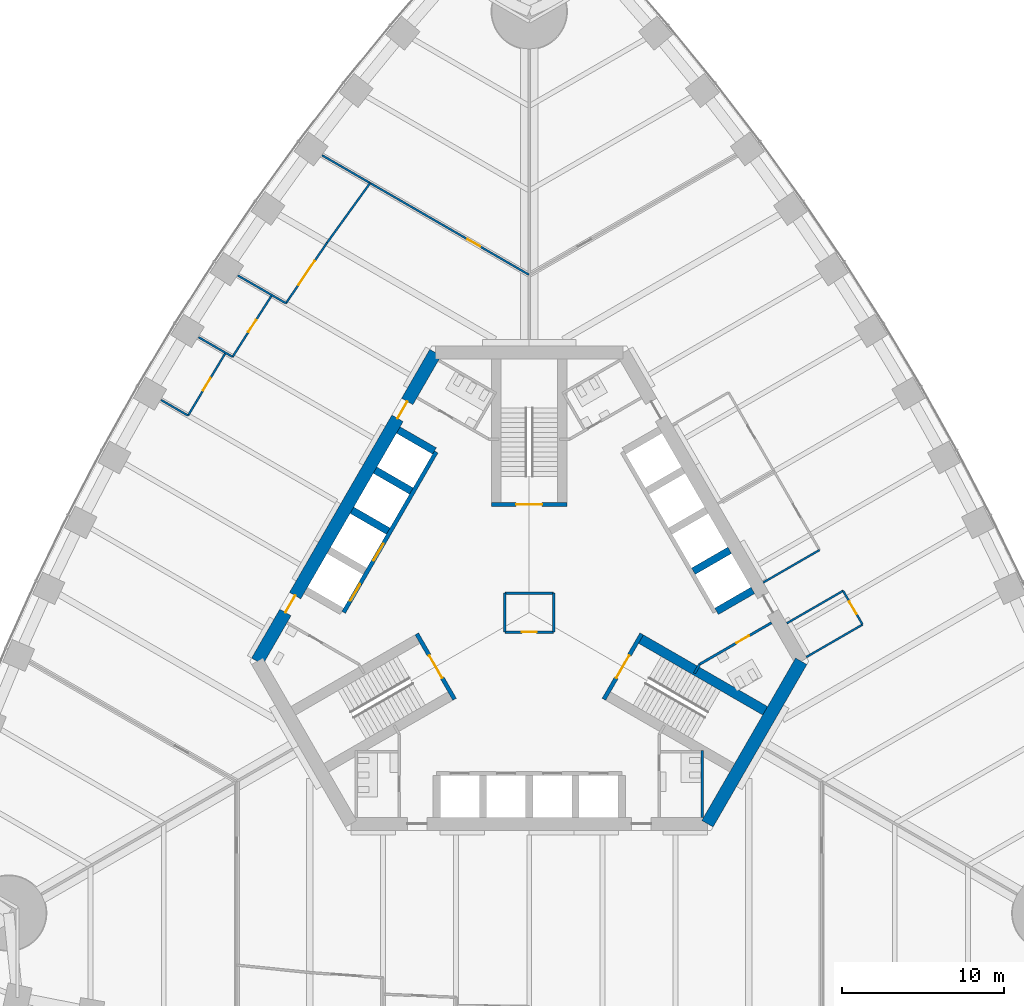
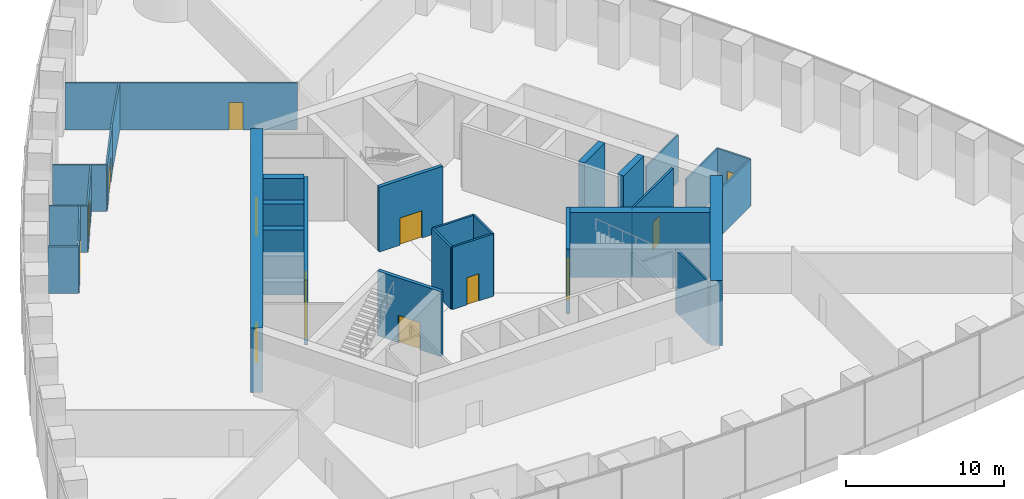
# One storey, part 16 of 21: 31 walls, 14 doors, 14 openings.
"""IFC4 building model written with IfcOpenShell, lengths in metres."""

from ifc_helpers import new_model, si_unit, direction, frame, frame_2d, origin, place, context, subcontext, project, spatial, rectangle, extrude, material, layer, layer_set, type_object, element, fill, save


model = new_model("IFC4")

# Units and contexts
model_context = context("Model", 3, precision=1e-05, world=origin(), true_north=direction((0.0, 1.0)))
body_context = subcontext(model_context, "Body", "Model", "MODEL_VIEW")
ifc_project = project(units=[si_unit("LENGTHUNIT", "METRE"), si_unit("AREAUNIT", "SQUARE_METRE"), si_unit("VOLUMEUNIT", "CUBIC_METRE"), si_unit("PLANEANGLEUNIT", "RADIAN"), si_unit("MASSUNIT", "GRAM", prefix="KILO")], contexts=[model_context])

# Site, building, storey
site_placement = place(None, origin())
site = spatial("IfcSite", under=ifc_project, at=site_placement, CompositionType="ELEMENT")
building_placement = place(site_placement, origin())
building = spatial("IfcBuilding", under=site, at=building_placement, Name="Trefoil Bronze Tower", CompositionType="ELEMENT")
storey_placement = place(building_placement, frame((0.0, 0.0, 11.5)))
storey = spatial("IfcBuildingStorey", under=building, at=storey_placement, Name="L02", CompositionType="ELEMENT", Elevation=11.5)

# Wall
ifc_material_1 = material(Name="Concrete B80", Category="concrete")
ifc_layer_1 = layer(ifc_material_1, 0.800048828125)
ifc_layer_set_1 = layer_set([ifc_layer_1], Name="Core wall 800")
wall_type_1 = type_object("IfcWallType", Name="Core wall 800", PredefinedType="SHEAR", material=ifc_layer_set_1)
wall_1_placement = place(storey_placement, frame((10.9697265625, -13.0, 0.0), z_axis=(0.0, 0.0, 1.0), x_axis=(0.499995765644, 0.866027848477, 0.0)))
element("IfcWall", 1, at=wall_1_placement, inside=storey, type_object=wall_type_1, Name="Core short wall 1 L02", PredefinedType="SHEAR", context=body_context, shape_type="SweptSolid", body=[
    extrude(rectangle(XDim=11.546875, YDim=0.800048828125, at=frame_2d((5.7734375, 0.0))), origin(), (0.0, 0.0, 1.0), 5.0),
])

# Wall, openings, doors
wall_2_placement = place(storey_placement, frame((-5.7734375, 16.0, 0.0), z_axis=(0.0, 0.0, 1.0), x_axis=(-0.500002442456, -0.866023993627, 0.0)))
wall_2 = element("IfcWall", 2, at=wall_2_placement, inside=storey, type_object=wall_type_1, Name="Core long wall 3 L02", PredefinedType="SHEAR", context=body_context, shape_type="SweptSolid", body=[
    extrude(rectangle(XDim=21.939453125, YDim=0.800048828125, at=frame_2d((10.9697265625, 0.0))), origin(), (0.0, 0.0, 1.0), 5.0),
])
opening_1_placement = place(wall_2_placement, frame((17.269775390625, 0.0, 0.0)))
opening_1 = element("IfcOpeningElement", 3, at=opening_1_placement, cuts=wall_2, Name="Opening D2", PredefinedType="OPENING", context=body_context, shape_type="SweptSolid", body=[
    extrude(rectangle(XDim=1.199951171875, YDim=2.10009765625, at=frame_2d((0.60009765625, 1.050048828125))), frame((0.0, 0.409912109375, 0.0), z_axis=(0.0, -1.0, 0.0), x_axis=(1.0, 0.0, 0.0)), (0.0, 0.0, 1.0), 0.820068359375),
])
opening_2_placement = place(wall_2_placement, frame((3.4697265625, 0.0, 0.0)))
opening_2 = element("IfcOpeningElement", 4, at=opening_2_placement, cuts=wall_2, Name="Opening D2", PredefinedType="OPENING", context=body_context, shape_type="SweptSolid", body=[
    extrude(rectangle(XDim=1.199951171875, YDim=2.10009765625, at=frame_2d((0.60009765625, 1.050048828125))), frame((0.0, 0.409912109375, 0.0), z_axis=(0.0, -1.0, 0.0), x_axis=(1.0, 0.0, 0.0)), (0.0, 0.0, 1.0), 0.820068359375),
])
ifc_material_2 = material(Name="Steel door", Category="steel")
door_type_1 = type_object("IfcDoorType", Name="Lobby door 1200", OperationType="SINGLE_SWING_RIGHT", PredefinedType="DOOR", material=ifc_material_2)
door_1_placement = place(opening_1_placement, origin())
door_1 = element("IfcDoor", 5, at=door_1_placement, inside=storey, type_object=door_type_1, Name="Lobby door F3+ L02", OperationType="SINGLE_SWING_RIGHT", OverallHeight=2.10009765625, OverallWidth=1.199951171875, PredefinedType="DOOR", context=body_context, shape_type="SweptSolid", body=[
    extrude(rectangle(XDim=1.199951171875, YDim=2.10009765625, at=frame_2d((0.60009765625, 1.050048828125))), frame((0.0, 0.02490234375, 0.0), z_axis=(0.0, -1.0, 0.0), x_axis=(1.0, 0.0, 0.0)), (0.0, 0.0, 1.0), 0.050048828125),
])
fill(opening_1, door_1)
door_2_placement = place(opening_2_placement, origin())
door_2 = element("IfcDoor", 6, at=door_2_placement, inside=storey, type_object=door_type_1, Name="Lobby door F3- L02", OperationType="SINGLE_SWING_LEFT", OverallHeight=2.10009765625, OverallWidth=1.199951171875, PredefinedType="DOOR", context=body_context, shape_type="SweptSolid", body=[
    extrude(rectangle(XDim=1.199951171875, YDim=2.10009765625, at=frame_2d((0.60009765625, 1.050048828125))), frame((0.0, 0.02490234375, 0.0), z_axis=(0.0, -1.0, 0.0), x_axis=(1.0, 0.0, 0.0)), (0.0, 0.0, 1.0), 0.050048828125),
])
fill(opening_2, door_2)

# Wall, opening, door
ifc_material_3 = material(Name="Glazed partition", Category="glass")
ifc_layer_2 = layer(ifc_material_3, 0.1201171875)
ifc_layer_set_2 = layer_set([ifc_layer_2], Name="Glazed partition 120")
wall_type_2 = type_object("IfcWallType", Name="Glazed partition 120", PredefinedType="PARTITIONING", material=ifc_layer_set_2)
wall_3_placement = place(storey_placement, frame((20.518798828125, -0.73974609375, 0.0), z_axis=(0.0, 0.0, 1.0), x_axis=(-0.499957262057, 0.866050077142, 0.0)))
wall_3 = element("IfcWall", 7, at=wall_3_placement, inside=storey, type_object=wall_type_2, Name="Partition F2 L02", PredefinedType="PARTITIONING", context=body_context, shape_type="SweptSolid", body=[
    extrude(rectangle(XDim=2.400146484375, YDim=0.1201171875, at=frame_2d((1.2001953125, 0.0))), origin(), (0.0, 0.0, 1.0), 3.60009765625),
])
opening_3_placement = place(wall_3_placement, frame((0.75, 0.0, 0.0)))
opening_3 = element("IfcOpeningElement", 8, at=opening_3_placement, cuts=wall_3, Name="Opening D8", PredefinedType="OPENING", context=body_context, shape_type="SweptSolid", body=[
    extrude(rectangle(XDim=0.89990234375, YDim=2.10009765625, at=frame_2d((0.449951171875, 1.050048828125))), frame((0.0, 0.070068359375, 0.0), z_axis=(0.0, -1.0, 0.0), x_axis=(1.0, 0.0, 0.0)), (0.0, 0.0, 1.0), 0.14013671875),
])
ifc_material_4 = material(Name="Timber door", Category="wood")
door_type_2 = type_object("IfcDoorType", Name="Office door 900", OperationType="SINGLE_SWING_LEFT", PredefinedType="DOOR", material=ifc_material_4)
door_3_placement = place(opening_3_placement, origin())
door_3 = element("IfcDoor", 9, at=door_3_placement, inside=storey, type_object=door_type_2, Name="Store door F2 L02", OperationType="SINGLE_SWING_RIGHT", OverallHeight=2.10009765625, OverallWidth=0.89990234375, PredefinedType="DOOR", context=body_context, shape_type="SweptSolid", body=[
    extrude(rectangle(XDim=0.89990234375, YDim=2.10009765625, at=frame_2d((0.449951171875, 1.050048828125))), frame((0.0, 0.02490234375, 0.0), z_axis=(0.0, -1.0, 0.0), x_axis=(1.0, 0.0, 0.0)), (0.0, 0.0, 1.0), 0.050048828125),
])
fill(opening_3, door_3)

# Walls
for number, where, z_axis, x_axis, name in (
    (10, (17.0546875, -2.73974609375, 0.0), (0.0, 0.0, 1.0), (0.866026010844, 0.49999894854, 0.0), "Partition F2 L02"),
    (11, (14.40478515625, 1.850341796875, 0.0), (0.0, 0.0, 1.0), (0.866026010844, 0.49999894854, 0.0), "Partition F2 L02"),
    (12, (15.854736328125, -0.6611328125, 0.0), (0.0, 0.0, 1.0), (0.866026010844, 0.49999894854, 0.0), "Partition F2 L02"),
):
    element("IfcWall", number, at=place(storey_placement, frame(where, z_axis=z_axis, x_axis=x_axis)), inside=storey, type_object=wall_type_2, Name=name, PredefinedType="PARTITIONING", context=body_context, shape_type="SweptSolid", body=[
        extrude(rectangle(XDim=4.0, YDim=0.1201171875, at=frame_2d((2.0, 0.0))), origin(), (0.0, 0.0, 1.0), 3.60009765625),
    ])

# Wall, opening, door
wall_4_placement = place(storey_placement, frame((-12.441162109375, 22.771240234375, 0.0), z_axis=(0.0, 0.0, 1.0), x_axis=(-0.561512004239, -0.827468591002, 0.0)))
wall_4 = element("IfcWall", 13, at=wall_4_placement, inside=storey, type_object=wall_type_2, Name="Partition F3 L02", PredefinedType="PARTITIONING", context=body_context, shape_type="SweptSolid", body=[
    extrude(rectangle(XDim=4.51171875, YDim=0.1201171875, at=frame_2d((2.255859375, 0.0))), origin(), (0.0, 0.0, 1.0), 3.60009765625),
])
opening_4_placement = place(wall_4_placement, frame((1.35009765625, 0.0, 0.0)))
opening_4 = element("IfcOpeningElement", 14, at=opening_4_placement, cuts=wall_4, Name="Opening D10", PredefinedType="OPENING", context=body_context, shape_type="SweptSolid", body=[
    extrude(rectangle(XDim=1.800048828125, YDim=2.10009765625, at=frame_2d((0.89990234375, 1.050048828125))), frame((0.0, 0.070068359375, 0.0), z_axis=(0.0, -1.0, 0.0), x_axis=(1.0, 0.0, 0.0)), (0.0, 0.0, 1.0), 0.14013671875),
])
ifc_material_5 = material(Name="Timber door", Category="wood")
door_type_3 = type_object("IfcDoorType", Name="Double door 1800", OperationType="DOUBLE_DOOR_SINGLE_SWING", PredefinedType="DOOR", material=ifc_material_5)
door_4_placement = place(opening_4_placement, frame((1.800048828125, 0.0, 0.0), z_axis=(0.0, 0.0, 1.0), x_axis=(-1.0, 0.0, 0.0)))
door_4 = element("IfcDoor", 15, at=door_4_placement, inside=storey, type_object=door_type_3, Name="Kitchen door F3 L02", OperationType="DOUBLE_DOOR_SINGLE_SWING", OverallHeight=2.10009765625, OverallWidth=1.800048828125, PredefinedType="DOOR", context=body_context, shape_type="SweptSolid", body=[
    extrude(rectangle(XDim=1.800048828125, YDim=2.10009765625, at=frame_2d((0.89990234375, 1.050048828125))), frame((0.0, 0.02490234375, 0.0), z_axis=(0.0, -1.0, 0.0), x_axis=(1.0, 0.0, 0.0)), (0.0, 0.0, 1.0), 0.050048828125),
])
fill(opening_4, door_4)

# Wall
wall_5_placement = place(storey_placement, frame((-9.793212890625, 26.438720703125, 0.0), z_axis=(0.0, 0.0, 1.0), x_axis=(-0.585376255171, -0.810761765183, 0.0)))
element("IfcWall", 16, at=wall_5_placement, inside=storey, type_object=wall_type_2, Name="Partition F3 L02", PredefinedType="PARTITIONING", context=body_context, shape_type="SweptSolid", body=[
    extrude(rectangle(XDim=4.5234375, YDim=0.1201171875, at=frame_2d((2.26171875, 0.0))), origin(), (0.0, 0.0, 1.0), 3.60009765625),
])

# Wall, opening, door
wall_6_placement = place(storey_placement, frame((-18.693359375, 15.98876953125, 0.0), z_axis=(0.0, 0.0, 1.0), x_axis=(-0.51252396108, -0.858672923364, 0.0)))
wall_6 = element("IfcWall", 17, at=wall_6_placement, inside=storey, type_object=wall_type_2, Name="Partition F3 L02", PredefinedType="PARTITIONING", context=body_context, shape_type="SweptSolid", body=[
    extrude(rectangle(XDim=4.50048828125, YDim=0.1201171875, at=frame_2d((2.250244140625, 0.0))), origin(), (0.0, 0.0, 1.0), 3.60009765625),
])
opening_5_placement = place(wall_6_placement, frame((1.800048828125, 0.0, 0.0)))
opening_5 = element("IfcOpeningElement", 18, at=opening_5_placement, cuts=wall_6, Name="Opening D8", PredefinedType="OPENING", context=body_context, shape_type="SweptSolid", body=[
    extrude(rectangle(XDim=0.89990234375, YDim=2.10009765625, at=frame_2d((0.449951171875, 1.050048828125))), frame((0.0, 0.070068359375, 0.0), z_axis=(0.0, -1.0, 0.0), x_axis=(1.0, 0.0, 0.0)), (0.0, 0.0, 1.0), 0.14013671875),
])
door_5_placement = place(opening_5_placement, frame((0.89990234375, 0.0, 0.0), z_axis=(0.0, 0.0, 1.0), x_axis=(-1.0, 0.0, 0.0)))
door_5 = element("IfcDoor", 19, at=door_5_placement, inside=storey, type_object=door_type_2, Name="Dry store door F3 L02", OperationType="SINGLE_SWING_RIGHT", OverallHeight=2.10009765625, OverallWidth=0.89990234375, PredefinedType="DOOR", context=body_context, shape_type="SweptSolid", body=[
    extrude(rectangle(XDim=0.89990234375, YDim=2.10009765625, at=frame_2d((0.449951171875, 1.050048828125))), frame((0.0, 0.02490234375, 0.0), z_axis=(0.0, -1.0, 0.0), x_axis=(1.0, 0.0, 0.0)), (0.0, 0.0, 1.0), 0.050048828125),
])
fill(opening_5, door_5)

wall_7_placement = place(storey_placement, frame((-15.840576171875, 19.537841796875, 0.0), z_axis=(0.0, 0.0, 1.0), x_axis=(-0.537243691336, -0.843427066272, 0.0)))
wall_7 = element("IfcWall", 20, at=wall_7_placement, inside=storey, type_object=wall_type_2, Name="Partition F3 L02", PredefinedType="PARTITIONING", context=body_context, shape_type="SweptSolid", body=[
    extrude(rectangle(XDim=4.50439453125, YDim=0.1201171875, at=frame_2d((2.252197265625, 0.0))), origin(), (0.0, 0.0, 1.0), 3.60009765625),
])
opening_6_placement = place(wall_7_placement, frame((1.800048828125, 0.0, 0.0)))
opening_6 = element("IfcOpeningElement", 21, at=opening_6_placement, cuts=wall_7, Name="Opening D8", PredefinedType="OPENING", context=body_context, shape_type="SweptSolid", body=[
    extrude(rectangle(XDim=0.89990234375, YDim=2.10009765625, at=frame_2d((0.449951171875, 1.050048828125))), frame((0.0, 0.070068359375, 0.0), z_axis=(0.0, -1.0, 0.0), x_axis=(1.0, 0.0, 0.0)), (0.0, 0.0, 1.0), 0.14013671875),
])
door_6_placement = place(opening_6_placement, frame((0.89990234375, 0.0, 0.0), z_axis=(0.0, 0.0, 1.0), x_axis=(-1.0, 0.0, 0.0)))
door_6 = element("IfcDoor", 22, at=door_6_placement, inside=storey, type_object=door_type_2, Name="Cold store door F3 L02", OperationType="SINGLE_SWING_RIGHT", OverallHeight=2.10009765625, OverallWidth=0.89990234375, PredefinedType="DOOR", context=body_context, shape_type="SweptSolid", body=[
    extrude(rectangle(XDim=0.89990234375, YDim=2.10009765625, at=frame_2d((0.449951171875, 1.050048828125))), frame((0.0, 0.02490234375, 0.0), z_axis=(0.0, -1.0, 0.0), x_axis=(1.0, 0.0, 0.0)), (0.0, 0.0, 1.0), 0.050048828125),
])
fill(opening_6, door_6)

# Wall
wall_8_placement = place(storey_placement, frame((-21.0, 12.124267578125, 0.0), z_axis=(0.0, 0.0, 1.0), x_axis=(-0.865988661894, 0.500063633421, 0.0)))
element("IfcWall", 23, at=wall_8_placement, inside=storey, type_object=wall_type_2, Name="Partition F3 L02", PredefinedType="PARTITIONING", context=body_context, shape_type="SweptSolid", body=[
    extrude(rectangle(XDim=1.920166015625, YDim=0.1201171875, at=frame_2d((0.9599609375, 0.0))), origin(), (0.0, 0.0, 1.0), 3.60009765625),
])

# Wall, opening, door
wall_9_placement = place(storey_placement, frame((-0.025146484375, 20.799072265625, 0.0), z_axis=(0.0, 0.0, 1.0), x_axis=(-0.866027263711, 0.4999967785, 0.0)))
wall_9 = element("IfcWall", 24, at=wall_9_placement, inside=storey, type_object=wall_type_2, Name="Partition F3 L02", PredefinedType="PARTITIONING", context=body_context, shape_type="SweptSolid", body=[
    extrude(rectangle(XDim=14.6884765625, YDim=0.1201171875, at=frame_2d((7.34423828125, 0.0))), origin(), (0.0, 0.0, 1.0), 3.60009765625),
])
opening_7_placement = place(wall_9_placement, frame((3.449951171875, 0.0, 0.0)))
opening_7 = element("IfcOpeningElement", 25, at=opening_7_placement, cuts=wall_9, Name="Opening D8", PredefinedType="OPENING", context=body_context, shape_type="SweptSolid", body=[
    extrude(rectangle(XDim=0.89990234375, YDim=2.10009765625, at=frame_2d((0.449951171875, 1.050048828125))), frame((0.0, 0.070068359375, 0.0), z_axis=(0.0, -1.0, 0.0), x_axis=(1.0, 0.0, 0.0)), (0.0, 0.0, 1.0), 0.14013671875),
])
door_7_placement = place(opening_7_placement, frame((0.89990234375, 0.0, 0.0), z_axis=(0.0, 0.0, 1.0), x_axis=(-1.0, 0.0, 0.0)))
door_7 = element("IfcDoor", 26, at=door_7_placement, inside=storey, type_object=door_type_2, Name="Plant room door F3 L02", OperationType="SINGLE_SWING_RIGHT", OverallHeight=2.10009765625, OverallWidth=0.89990234375, PredefinedType="DOOR", context=body_context, shape_type="SweptSolid", body=[
    extrude(rectangle(XDim=0.89990234375, YDim=2.10009765625, at=frame_2d((0.449951171875, 1.050048828125))), frame((0.0, 0.02490234375, 0.0), z_axis=(0.0, -1.0, 0.0), x_axis=(1.0, 0.0, 0.0)), (0.0, 0.0, 1.0), 0.050048828125),
])
fill(opening_7, door_7)

# Walls
wall_10_placement = place(storey_placement, frame((-18.260498046875, 15.73876953125, 0.0), z_axis=(0.0, 0.0, 1.0), x_axis=(-0.866017538894, 0.500013622142, 0.0)))
element("IfcWall", 27, at=wall_10_placement, inside=storey, type_object=wall_type_2, Name="Partition F3 L02", PredefinedType="PARTITIONING", context=body_context, shape_type="SweptSolid", body=[
    extrude(rectangle(XDim=2.41943359375, YDim=0.1201171875, at=frame_2d((1.209716796875, 0.0))), origin(), (0.0, 0.0, 1.0), 3.60009765625),
])
wall_11_placement = place(storey_placement, frame((-14.974609375, 19.037841796875, 0.0), z_axis=(0.0, 0.0, 1.0), x_axis=(-0.866014265796, 0.500019291066, 0.0)))
element("IfcWall", 28, at=wall_11_placement, inside=storey, type_object=wall_type_2, Name="Partition F3 L02", PredefinedType="PARTITIONING", context=body_context, shape_type="SweptSolid", body=[
    extrude(rectangle(XDim=3.417236328125, YDim=0.1201171875, at=frame_2d((1.70849609375, 0.0))), origin(), (0.0, 0.0, 1.0), 3.60009765625),
])
ifc_material_6 = material(Name="Concrete B80", Category="concrete")
ifc_layer_3 = layer(ifc_material_6, 0.449951171875)
ifc_layer_set_3 = layer_set([ifc_layer_3], Name="Outrigger shaft wall 450")
wall_type_3 = type_object("IfcWallType", Name="Outrigger shaft wall 450", PredefinedType="SHEAR", material=ifc_layer_set_3)
for number, where, z_axis, x_axis, name in (
    (29, (11.531982421875, 0.076171875, 0.0), (0.0, 0.0, 1.0), (0.866005588531, 0.500034319456, 0.0), "Lift shaft side wall B0 L02"),
    (30, (10.10693359375, 2.54443359375, 0.0), (0.0, 0.0, 1.0), (0.866046643894, 0.499963209246, 0.0), "Lift shaft side wall B1 L02"),
):
    element("IfcWall", number, at=place(storey_placement, frame(where, z_axis=z_axis, x_axis=x_axis)), inside=storey, type_object=wall_type_3, Name=name, PredefinedType="SHEAR", context=body_context, shape_type="SweptSolid", body=[
        extrude(rectangle(XDim=2.574951171875, YDim=0.449951171875, at=frame_2d((1.28759765625, 0.0))), origin(), (0.0, 0.0, 1.0), 5.0),
    ])
wall_12_placement = place(storey_placement, frame((-5.831787109375, 9.94873046875, 0.0), z_axis=(0.0, 0.0, 1.0), x_axis=(-0.866029291668, 0.499993265928, 0.0)))
element("IfcWall", 31, at=wall_12_placement, inside=storey, type_object=wall_type_3, Name="Lift shaft side wall C0 L02", PredefinedType="SHEAR", context=body_context, shape_type="SweptSolid", body=[
    extrude(rectangle(XDim=2.5751953125, YDim=0.449951171875, at=frame_2d((1.28759765625, 0.0))), origin(), (0.0, 0.0, 1.0), 5.0),
])
for number, where, z_axis, x_axis, name in (
    (32, (-7.2568359375, 7.480712890625, 0.0), (0.0, 0.0, 1.0), (-0.866046643894, 0.499963209246, 0.0), "Lift shaft side wall C1 L02"),
    (33, (-8.681884765625, 5.012451171875, 0.0), (0.0, 0.0, 1.0), (-0.866005588531, 0.500034319456, 0.0), "Lift shaft side wall C2 L02"),
):
    element("IfcWall", number, at=place(storey_placement, frame(where, z_axis=z_axis, x_axis=x_axis)), inside=storey, type_object=wall_type_3, Name=name, PredefinedType="SHEAR", context=body_context, shape_type="SweptSolid", body=[
        extrude(rectangle(XDim=2.574951171875, YDim=0.449951171875, at=frame_2d((1.28759765625, 0.0))), origin(), (0.0, 0.0, 1.0), 5.0),
    ])

# Wall, opening, door
ifc_material_7 = material(Name="Gypsum board on steel studs", Category="steel")
ifc_layer_4 = layer(ifc_material_7, 0.14990234375)
ifc_layer_set_4 = layer_set([ifc_layer_4], Name="Partition 150")
wall_type_4 = type_object("IfcWallType", Name="Partition 150", PredefinedType="PARTITIONING", material=ifc_layer_set_4)
wall_13_placement = place(storey_placement, frame((10.4951171875, -3.17822265625, 0.0), z_axis=(0.0, 0.0, 1.0), x_axis=(0.86602216432, 0.500005610874, 0.0)))
wall_13 = element("IfcWall", 34, at=wall_13_placement, inside=storey, type_object=wall_type_4, Name="Passage wall F2- L02", PredefinedType="PARTITIONING", context=body_context, shape_type="SweptSolid", body=[
    extrude(rectangle(XDim=5.10009765625, YDim=0.14990234375, at=frame_2d((2.550048828125, 0.0))), origin(), (0.0, 0.0, 1.0), 4.800048828125),
])
opening_8_placement = place(wall_13_placement, frame((2.60009765625, 0.0, 0.0)))
opening_8 = element("IfcOpeningElement", 35, at=opening_8_placement, cuts=wall_13, Name="Opening D3", PredefinedType="OPENING", context=body_context, shape_type="SweptSolid", body=[
    extrude(rectangle(XDim=0.89990234375, YDim=2.10009765625, at=frame_2d((0.449951171875, 1.050048828125))), frame((0.0, 0.0849609375, 0.0), z_axis=(0.0, -1.0, 0.0), x_axis=(1.0, 0.0, 0.0)), (0.0, 0.0, 1.0), 0.169921875),
])
ifc_material_8 = material(Name="Timber door", Category="wood")
door_type_4 = type_object("IfcDoorType", Name="WC door 900", OperationType="SINGLE_SWING_LEFT", PredefinedType="DOOR", material=ifc_material_8)
door_8_placement = place(opening_8_placement, frame((0.89990234375, 0.0, 0.0), z_axis=(0.0, 0.0, 1.0), x_axis=(-1.0, 0.0, 0.0)))
door_8 = element("IfcDoor", 36, at=door_8_placement, inside=storey, type_object=door_type_4, Name="WC (women) door L02", OperationType="SINGLE_SWING_LEFT", OverallHeight=2.10009765625, OverallWidth=0.89990234375, PredefinedType="DOOR", context=body_context, shape_type="SweptSolid", body=[
    extrude(rectangle(XDim=0.89990234375, YDim=2.10009765625, at=frame_2d((0.449951171875, 1.050048828125))), frame((0.0, 0.02490234375, 0.0), z_axis=(0.0, -1.0, 0.0), x_axis=(1.0, 0.0, 0.0)), (0.0, 0.0, 1.0), 0.050048828125),
])
fill(opening_8, door_8)

# Walls
wall_14_placement = place(storey_placement, frame((10.4951171875, -3.17822265625, 0.0), z_axis=(0.0, 0.0, 1.0), x_axis=(-0.499842556608, -0.866116284689, 0.0)))
element("IfcWall", 37, at=wall_14_placement, inside=storey, type_object=wall_type_4, Name="WC wall ST1+1 L02", PredefinedType="PARTITIONING", context=body_context, shape_type="SweptSolid", body=[
    extrude(rectangle(XDim=0.645263671875, YDim=0.14990234375, at=frame_2d((0.32275390625, 0.0))), origin(), (0.0, 0.0, 1.0), 4.800048828125),
])
wall_15_placement = place(storey_placement, frame((10.659912109375, -8.5, 0.0), z_axis=(0.0, 0.0, 1.0), x_axis=(0.0, -1.0, 0.0)))
element("IfcWall", 38, at=wall_15_placement, inside=storey, type_object=wall_type_4, Name="WC partition WC (men) L02", PredefinedType="PARTITIONING", context=body_context, shape_type="SweptSolid", body=[
    extrude(rectangle(XDim=4.10009765625, YDim=0.14990234375, at=frame_2d((2.050048828125, 0.0))), origin(), (0.0, 0.0, 1.0), 4.800048828125),
])

# Wall, opening, door
ifc_material_9 = material(Name="Gypsum board on steel studs", Category="steel")
ifc_layer_5 = layer(ifc_material_9, 0.14990234375)
ifc_layer_set_5 = layer_set([ifc_layer_5], Name="Riser wall 150")
wall_type_5 = type_object("IfcWallType", Name="Riser wall 150", PredefinedType="PARTITIONING", material=ifc_layer_set_5)
wall_16_placement = place(storey_placement, frame((-1.5, -1.199951171875, 0.0), z_axis=(0.0, 0.0, 1.0), x_axis=(1.0, 0.0, 0.0)))
wall_16 = element("IfcWall", 39, at=wall_16_placement, inside=storey, type_object=wall_type_5, Name="Riser wall L02", PredefinedType="PARTITIONING", context=body_context, shape_type="SweptSolid", body=[
    extrude(rectangle(XDim=3.0, YDim=0.14990234375, at=frame_2d((1.5, 0.0))), origin(), (0.0, 0.0, 1.0), 4.800048828125),
])
opening_9_placement = place(wall_16_placement, frame((1.050048828125, 0.0, 0.0)))
opening_9 = element("IfcOpeningElement", 40, at=opening_9_placement, cuts=wall_16, Name="Opening D4", PredefinedType="OPENING", context=body_context, shape_type="SweptSolid", body=[
    extrude(rectangle(XDim=0.89990234375, YDim=2.10009765625, at=frame_2d((0.449951171875, 1.050048828125))), frame((0.0, 0.0849609375, 0.0), z_axis=(0.0, -1.0, 0.0), x_axis=(1.0, 0.0, 0.0)), (0.0, 0.0, 1.0), 0.169921875),
])
ifc_material_10 = material(Name="Steel door", Category="steel")
door_type_5 = type_object("IfcDoorType", Name="Riser door 900", OperationType="SINGLE_SWING_LEFT", PredefinedType="DOOR", material=ifc_material_10)
door_9_placement = place(opening_9_placement, frame((0.89990234375, 0.0, 0.0), z_axis=(0.0, 0.0, 1.0), x_axis=(-1.0, 0.0, 0.0)))
door_9 = element("IfcDoor", 41, at=door_9_placement, inside=storey, type_object=door_type_5, Name="Riser door L02", OperationType="SINGLE_SWING_LEFT", OverallHeight=2.10009765625, OverallWidth=0.89990234375, PredefinedType="DOOR", context=body_context, shape_type="SweptSolid", body=[
    extrude(rectangle(XDim=0.89990234375, YDim=2.10009765625, at=frame_2d((0.449951171875, 1.050048828125))), frame((0.0, 0.02490234375, 0.0), z_axis=(0.0, -1.0, 0.0), x_axis=(1.0, 0.0, 0.0)), (0.0, 0.0, 1.0), 0.050048828125),
])
fill(opening_9, door_9)

# Walls
wall_17_placement = place(storey_placement, frame((1.5, -1.199951171875, 0.0), z_axis=(0.0, 0.0, 1.0), x_axis=(0.0, 1.0, 0.0)))
element("IfcWall", 42, at=wall_17_placement, inside=storey, type_object=wall_type_5, Name="Riser wall L02", PredefinedType="PARTITIONING", context=body_context, shape_type="SweptSolid", body=[
    extrude(rectangle(XDim=2.39990234375, YDim=0.14990234375, at=frame_2d((1.199951171875, 0.0))), origin(), (0.0, 0.0, 1.0), 4.800048828125),
])
wall_18_placement = place(storey_placement, frame((1.5, 1.199951171875, 0.0), z_axis=(0.0, 0.0, 1.0), x_axis=(-1.0, 0.0, 0.0)))
element("IfcWall", 43, at=wall_18_placement, inside=storey, type_object=wall_type_5, Name="Riser wall L02", PredefinedType="PARTITIONING", context=body_context, shape_type="SweptSolid", body=[
    extrude(rectangle(XDim=3.0, YDim=0.14990234375, at=frame_2d((1.5, 0.0))), origin(), (0.0, 0.0, 1.0), 4.800048828125),
])
wall_19_placement = place(storey_placement, frame((-1.5, 1.199951171875, 0.0), z_axis=(0.0, 0.0, 1.0), x_axis=(0.0, -1.0, 0.0)))
element("IfcWall", 44, at=wall_19_placement, inside=storey, type_object=wall_type_5, Name="Riser wall L02", PredefinedType="PARTITIONING", context=body_context, shape_type="SweptSolid", body=[
    extrude(rectangle(XDim=2.39990234375, YDim=0.14990234375, at=frame_2d((1.199951171875, 0.0))), origin(), (0.0, 0.0, 1.0), 4.800048828125),
])

# Wall, openings, doors
ifc_material_11 = material(Name="Concrete B80", Category="concrete")
ifc_layer_6 = layer(ifc_material_11, 0.25)
ifc_layer_set_6 = layer_set([ifc_layer_6], Name="Shaft wall 250")
wall_type_6 = type_object("IfcWallType", Name="Shaft wall 250", PredefinedType="SHEAR", material=ifc_layer_set_6)
wall_20_placement = place(storey_placement, frame((-5.7236328125, 9.88623046875, 0.0), z_axis=(0.0, 0.0, 1.0), x_axis=(-0.500001763848, -0.866024385424, 0.0)))
wall_20 = element("IfcWall", 45, at=wall_20_placement, inside=storey, type_object=wall_type_6, Name="Lift shaft front wall C L02", PredefinedType="SHEAR", context=body_context, shape_type="SweptSolid", body=[
    extrude(rectangle(XDim=11.39990234375, YDim=0.25, at=frame_2d((5.699951171875, 0.0))), origin(), (0.0, 0.0, 1.0), 5.0),
])
opening_10_placement = place(wall_20_placement, frame((6.52490234375, 0.0, 0.0)))
opening_10 = element("IfcOpeningElement", 46, at=opening_10_placement, cuts=wall_20, Name="Opening LD-FL1", PredefinedType="OPENING", context=body_context, shape_type="SweptSolid", body=[
    extrude(rectangle(XDim=1.199951171875, YDim=2.199951171875, at=frame_2d((0.60009765625, 1.10009765625))), frame((0.0, 0.135009765625, 0.0), z_axis=(0.0, -1.0, 0.0), x_axis=(1.0, 0.0, 0.0)), (0.0, 0.0, 1.0), 0.27001953125),
])
opening_11_placement = place(wall_20_placement, frame((9.375, 0.0, 0.0)))
opening_11 = element("IfcOpeningElement", 47, at=opening_11_placement, cuts=wall_20, Name="Opening LD-FL2", PredefinedType="OPENING", context=body_context, shape_type="SweptSolid", body=[
    extrude(rectangle(XDim=1.199951171875, YDim=2.199951171875, at=frame_2d((0.60009765625, 1.10009765625))), frame((0.0, 0.135009765625, 0.0), z_axis=(0.0, -1.0, 0.0), x_axis=(1.0, 0.0, 0.0)), (0.0, 0.0, 1.0), 0.27001953125),
])
ifc_material_12 = material(Name="Steel door", Category="steel")
door_type_6 = type_object("IfcDoorType", Name="Lift landing door 1200", OperationType="DOUBLE_DOOR_SLIDING", PredefinedType="DOOR", material=ifc_material_12)
door_10_placement = place(opening_10_placement, origin())
door_10 = element("IfcDoor", 48, at=door_10_placement, inside=storey, type_object=door_type_6, Name="Lift FL1 landing door L02", OperationType="DOUBLE_DOOR_SLIDING", OverallHeight=2.199951171875, OverallWidth=1.199951171875, PredefinedType="DOOR", context=body_context, shape_type="SweptSolid", body=[
    extrude(rectangle(XDim=1.199951171875, YDim=2.199951171875, at=frame_2d((0.60009765625, 1.10009765625))), frame((0.0, 0.02490234375, 0.0), z_axis=(0.0, -1.0, 0.0), x_axis=(1.0, 0.0, 0.0)), (0.0, 0.0, 1.0), 0.050048828125),
])
fill(opening_10, door_10)
door_11_placement = place(opening_11_placement, origin())
door_11 = element("IfcDoor", 49, at=door_11_placement, inside=storey, type_object=door_type_6, Name="Lift FL2 landing door L02", OperationType="DOUBLE_DOOR_SLIDING", OverallHeight=2.199951171875, OverallWidth=1.199951171875, PredefinedType="DOOR", context=body_context, shape_type="SweptSolid", body=[
    extrude(rectangle(XDim=1.199951171875, YDim=2.199951171875, at=frame_2d((0.60009765625, 1.10009765625))), frame((0.0, 0.02490234375, 0.0), z_axis=(0.0, -1.0, 0.0), x_axis=(1.0, 0.0, 0.0)), (0.0, 0.0, 1.0), 0.050048828125),
])
fill(opening_11, door_11)

# Wall, opening, door
wall_21_placement = place(storey_placement, frame((4.5966796875, -5.338623046875, 0.0), z_axis=(0.0, 0.0, 1.0), x_axis=(0.499984536904, 0.866034331223, 0.0)))
wall_21 = element("IfcWall", 50, at=wall_21_placement, inside=storey, type_object=wall_type_6, Name="Stair end wall ST1 L02", PredefinedType="SHEAR", context=body_context, shape_type="SweptSolid", body=[
    extrude(rectangle(XDim=4.650146484375, YDim=0.25, at=frame_2d((2.3251953125, 0.0))), origin(), (0.0, 0.0, 1.0), 5.0),
])
opening_12_placement = place(wall_21_placement, frame((1.52490234375, 0.0, 0.0)))
opening_12 = element("IfcOpeningElement", 51, at=opening_12_placement, cuts=wall_21, Name="Opening D1", PredefinedType="OPENING", context=body_context, shape_type="SweptSolid", body=[
    extrude(rectangle(XDim=1.60009765625, YDim=2.10009765625, at=frame_2d((0.800048828125, 1.050048828125))), frame((0.0, 0.135009765625, 0.0), z_axis=(0.0, -1.0, 0.0), x_axis=(1.0, 0.0, 0.0)), (0.0, 0.0, 1.0), 0.27001953125),
])
ifc_material_13 = material(Name="Steel door", Category="steel")
door_type_7 = type_object("IfcDoorType", Name="Stair door 1600", OperationType="DOUBLE_DOOR_SINGLE_SWING", PredefinedType="DOOR", material=ifc_material_13)
door_12_placement = place(opening_12_placement, frame((1.60009765625, 0.0, 0.0), z_axis=(0.0, 0.0, 1.0), x_axis=(-1.0, 0.0, 0.0)))
door_12 = element("IfcDoor", 52, at=door_12_placement, inside=storey, type_object=door_type_7, Name="Stair door ST1 L02", OperationType="DOUBLE_DOOR_SINGLE_SWING", OverallHeight=2.10009765625, OverallWidth=1.60009765625, PredefinedType="DOOR", context=body_context, shape_type="SweptSolid", body=[
    extrude(rectangle(XDim=1.60009765625, YDim=2.10009765625, at=frame_2d((0.800048828125, 1.050048828125))), frame((0.0, 0.02490234375, 0.0), z_axis=(0.0, -1.0, 0.0), x_axis=(1.0, 0.0, 0.0)), (0.0, 0.0, 1.0), 0.050048828125),
])
fill(opening_12, door_12)

wall_22_placement = place(storey_placement, frame((2.324951171875, 6.64990234375, 0.0), z_axis=(0.0, 0.0, 1.0), x_axis=(-1.0, 0.0, 0.0)))
wall_22 = element("IfcWall", 53, at=wall_22_placement, inside=storey, type_object=wall_type_6, Name="Stair end wall ST2 L02", PredefinedType="SHEAR", context=body_context, shape_type="SweptSolid", body=[
    extrude(rectangle(XDim=4.64990234375, YDim=0.25, at=frame_2d((2.324951171875, 0.0))), origin(), (0.0, 0.0, 1.0), 5.0),
])
opening_13_placement = place(wall_22_placement, frame((1.52490234375, 0.0, 0.0)))
opening_13 = element("IfcOpeningElement", 54, at=opening_13_placement, cuts=wall_22, Name="Opening D1", PredefinedType="OPENING", context=body_context, shape_type="SweptSolid", body=[
    extrude(rectangle(XDim=1.60009765625, YDim=2.10009765625, at=frame_2d((0.800048828125, 1.050048828125))), frame((0.0, 0.135009765625, 0.0), z_axis=(0.0, -1.0, 0.0), x_axis=(1.0, 0.0, 0.0)), (0.0, 0.0, 1.0), 0.27001953125),
])
door_13_placement = place(opening_13_placement, frame((1.60009765625, 0.0, 0.0), z_axis=(0.0, 0.0, 1.0), x_axis=(-1.0, 0.0, 0.0)))
door_13 = element("IfcDoor", 55, at=door_13_placement, inside=storey, type_object=door_type_7, Name="Stair door ST2 L02", OperationType="DOUBLE_DOOR_SINGLE_SWING", OverallHeight=2.10009765625, OverallWidth=1.60009765625, PredefinedType="DOOR", context=body_context, shape_type="SweptSolid", body=[
    extrude(rectangle(XDim=1.60009765625, YDim=2.10009765625, at=frame_2d((0.800048828125, 1.050048828125))), frame((0.0, 0.02490234375, 0.0), z_axis=(0.0, -1.0, 0.0), x_axis=(1.0, 0.0, 0.0)), (0.0, 0.0, 1.0), 0.050048828125),
])
fill(opening_13, door_13)

wall_23_placement = place(storey_placement, frame((-6.921630859375, -1.3115234375, 0.0), z_axis=(0.0, 0.0, 1.0), x_axis=(0.499984536904, -0.866034331223, 0.0)))
wall_23 = element("IfcWall", 56, at=wall_23_placement, inside=storey, type_object=wall_type_6, Name="Stair end wall ST3 L02", PredefinedType="SHEAR", context=body_context, shape_type="SweptSolid", body=[
    extrude(rectangle(XDim=4.650146484375, YDim=0.25, at=frame_2d((2.3251953125, 0.0))), origin(), (0.0, 0.0, 1.0), 5.0),
])
opening_14_placement = place(wall_23_placement, frame((1.52490234375, 0.0, 0.0)))
opening_14 = element("IfcOpeningElement", 57, at=opening_14_placement, cuts=wall_23, Name="Opening D1", PredefinedType="OPENING", context=body_context, shape_type="SweptSolid", body=[
    extrude(rectangle(XDim=1.60009765625, YDim=2.10009765625, at=frame_2d((0.800048828125, 1.050048828125))), frame((0.0, 0.135009765625, 0.0), z_axis=(0.0, -1.0, 0.0), x_axis=(1.0, 0.0, 0.0)), (0.0, 0.0, 1.0), 0.27001953125),
])
door_14_placement = place(opening_14_placement, frame((1.60009765625, 0.0, 0.0), z_axis=(0.0, 0.0, 1.0), x_axis=(-1.0, 0.0, 0.0)))
door_14 = element("IfcDoor", 58, at=door_14_placement, inside=storey, type_object=door_type_7, Name="Stair door ST3 L02", OperationType="DOUBLE_DOOR_SINGLE_SWING", OverallHeight=2.10009765625, OverallWidth=1.60009765625, PredefinedType="DOOR", context=body_context, shape_type="SweptSolid", body=[
    extrude(rectangle(XDim=1.60009765625, YDim=2.10009765625, at=frame_2d((0.800048828125, 1.050048828125))), frame((0.0, 0.02490234375, 0.0), z_axis=(0.0, -1.0, 0.0), x_axis=(1.0, 0.0, 0.0)), (0.0, 0.0, 1.0), 0.050048828125),
])
fill(opening_14, door_14)

# Wall
ifc_material_14 = material(Name="Concrete B80", Category="concrete")
ifc_layer_7 = layer(ifc_material_14, 0.60009765625)
ifc_layer_set_7 = layer_set([ifc_layer_7], Name="Stair wall 600")
wall_type_7 = type_object("IfcWallType", Name="Stair wall 600", PredefinedType="SHEAR", material=ifc_layer_set_7)
wall_24_placement = place(storey_placement, frame((6.663330078125, -1.5087890625, 0.0), z_axis=(0.0, 0.0, 1.0), x_axis=(0.866019375473, -0.500010441196, 0.0)))
element("IfcWall", 59, at=wall_24_placement, inside=storey, type_object=wall_type_7, Name="Stair wall ST1 L02", PredefinedType="SHEAR", context=body_context, shape_type="SweptSolid", body=[
    extrude(rectangle(XDim=9.074951171875, YDim=0.60009765625, at=frame_2d((4.53759765625, 0.0))), origin(), (0.0, 0.0, 1.0), 5.0),
])

save(model, "model.ifc")
